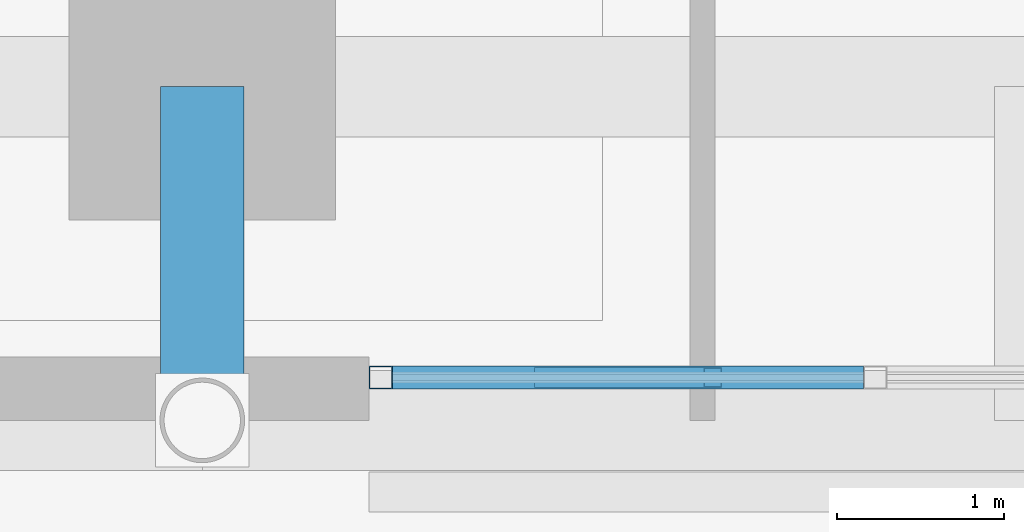
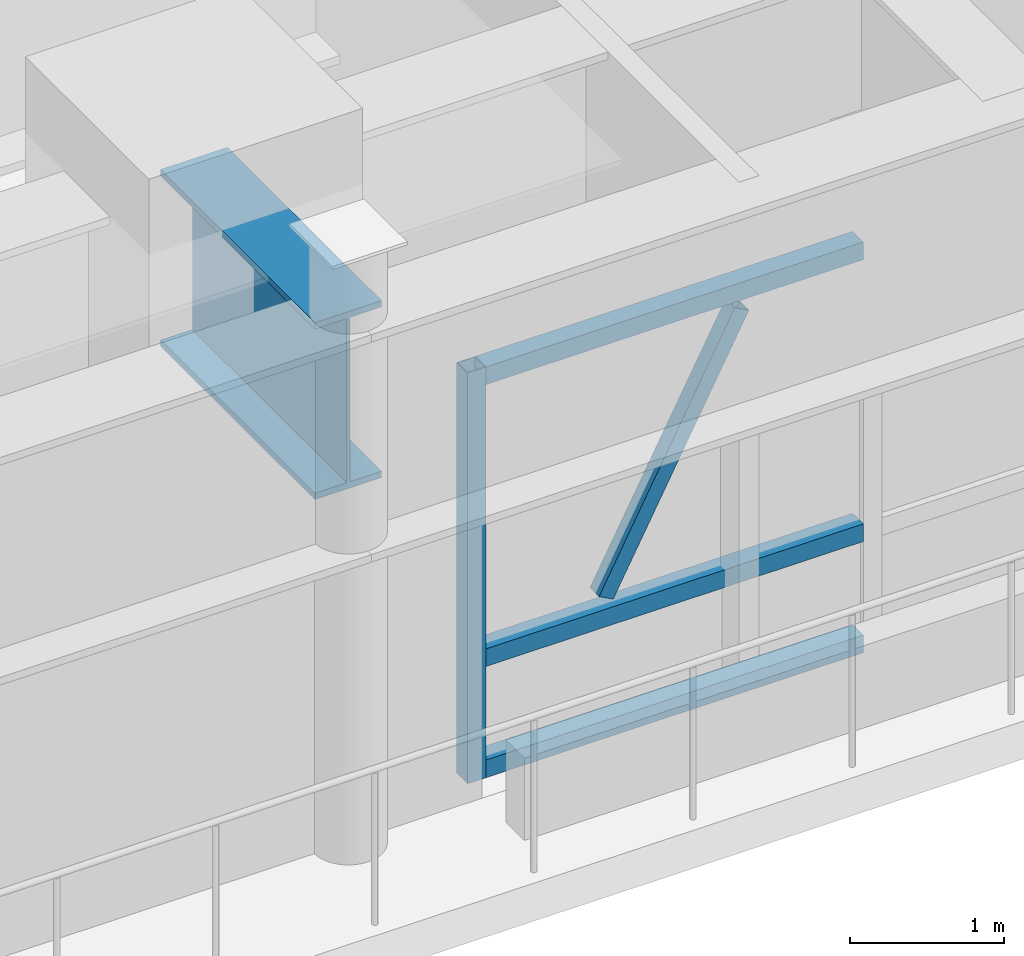
# One storey, part 7 of 35: 5 members, 1 beam, 1 element without a shape of its own.
"""IFC4 building model written with IfcOpenShell, lengths in metres."""

from ifc_helpers import new_model, si_unit, direction, frame, origin, origin_2d, place, context, subcontext, project, spatial, hollow_rectangle, i_section, extrude, source, transform, mapped, material, material_profile, profile_set, type_object, element, aggregate, save


model = new_model("IFC4")

# Units and contexts
model_context = context("Model", 3, precision=1e-05, world=origin(), true_north=direction((0.0, 1.0)))
body_context = subcontext(model_context, "Body", "Model", "MODEL_VIEW")
ifc_project = project(units=[si_unit("LENGTHUNIT", "METRE"), si_unit("AREAUNIT", "SQUARE_METRE"), si_unit("VOLUMEUNIT", "CUBIC_METRE"), si_unit("PLANEANGLEUNIT", "RADIAN"), si_unit("MASSUNIT", "GRAM", prefix="KILO")], contexts=[model_context])

# Site, building, storey
site_placement = place(None, origin())
site = spatial("IfcSite", under=ifc_project, at=site_placement, CompositionType="ELEMENT")
building_placement = place(site_placement, origin())
building = spatial("IfcBuilding", under=site, at=building_placement, Name="Khorayat Bourse Tower", CompositionType="ELEMENT")
storey_placement = place(building_placement, frame((0.0, 0.0, 22.199951171875)))
storey = spatial("IfcBuildingStorey", under=building, at=storey_placement, Name="L04", CompositionType="ELEMENT", Elevation=22.199951171875)

# Beam
ifc_material_1 = material(Name="Steel EN 10025-4 S460M", Category="steel")
ifc_material_profile_1 = material_profile(ifc_material_1, i_section(OverallWidth=0.5, OverallDepth=1.39990234375, WebThickness=0.02490234375, FlangeThickness=0.050048828125, at=origin_2d()), Name="PG 1400x500x25x50")
ifc_profile_set_1 = profile_set([ifc_material_profile_1], Name="Steel EN 10025-4 S460M")
beam_type = type_object("IfcBeamType", Name="BM-TR-1400", PredefinedType="BEAM", material=ifc_profile_set_1)
shared_shape_1 = source(origin(), body_context, "Body", "SweptSolid", [
    extrude(i_section(OverallWidth=0.5, OverallDepth=1.39990234375, WebThickness=0.02490234375, FlangeThickness=0.050048828125, at=origin_2d()), origin(), (0.0, 0.0, 1.0), 2.0),
])
beam_placement = place(storey_placement, frame((-11.0, -34.0, 3.5), z_axis=(0.0, 1.0, 0.0), x_axis=(-1.0, 0.0, 0.0)))
element("IfcBeam", 1, at=beam_placement, inside=storey, type_object=beam_type, Name="L04 BM-TR-1400 BM-L04-PGY-124", PredefinedType="BEAM", context=body_context, shape_type="MappedRepresentation", body=[
    mapped(shared_shape_1, transform((0.0, 0.0, 0.0), scale=1.0)),
])

# Curtain wall, members
ifc_material_2 = material(Name="Aluminium EN AW-6063 T6", Category="aluminium")
curtain_wall_type = type_object("IfcCurtainWallType", Name="CW-SYS-01", PredefinedType="NOTDEFINED", material=ifc_material_2)
curtain_wall_placement = place(storey_placement, origin())
curtain_wall = element("IfcCurtainWall", 2, at=curtain_wall_placement, inside=storey, type_object=curtain_wall_type, Name="L04 Curtain Wall CW-L04-SW", PredefinedType="NOTDEFINED")
ifc_material_profile_2 = material_profile(ifc_material_2, hollow_rectangle(XDim=0.139892578125, YDim=0.139892578125, WallThickness=0.006103515625, at=origin_2d()), Name="ALU 140x140x6")
ifc_profile_set_2 = profile_set([ifc_material_profile_2], Name="Aluminium EN AW-6063 T6")
member_type_1 = type_object("IfcMemberType", Name="CWT-HORZ-140", PredefinedType="USERDEFINED", material=ifc_profile_set_2)
shared_shape_2 = source(origin(), body_context, "Body", "SweptSolid", [
    extrude(hollow_rectangle(XDim=0.139892578125, YDim=0.139892578125, WallThickness=0.006103515625, at=origin_2d()), origin(), (0.0, 0.0, 1.0), 2.823486328125),
])
member_1_placement = place(storey_placement, frame((-9.860107421875, -33.742919921875, 0.070068359375), z_axis=(1.0, 0.0, 0.0), x_axis=(0.0, 1.0, 0.0)))
member_1 = element("IfcMember", 3, at=member_1_placement, type_object=member_type_1, Name="CW-L04-SW Horizontal Transom 1-1", ObjectType="TRANSOM", PredefinedType="USERDEFINED", context=body_context, shape_type="MappedRepresentation", body=[
    mapped(shared_shape_2, transform((0.0, 0.0, 0.0), scale=1.0)),
])
member_2_placement = place(storey_placement, frame((-9.860107421875, -33.742919921875, 0.949951171875), z_axis=(1.0, 0.0, 0.0), x_axis=(0.0, 1.0, 0.0)))
member_2 = element("IfcMember", 4, at=member_2_placement, type_object=member_type_1, Name="CW-L04-SW Horizontal Transom 1-2", ObjectType="TRANSOM", PredefinedType="USERDEFINED", context=body_context, shape_type="MappedRepresentation", body=[
    mapped(shared_shape_2, transform((0.0, 0.0, 0.0), scale=1.0)),
])
member_3_placement = place(storey_placement, frame((-9.860107421875, -33.742919921875, 3.179931640625), z_axis=(1.0, 0.0, 0.0), x_axis=(0.0, 1.0, 0.0)))
member_3 = element("IfcMember", 5, at=member_3_placement, type_object=member_type_1, Name="CW-L04-SW Horizontal Transom 1-3", ObjectType="TRANSOM", PredefinedType="USERDEFINED", context=body_context, shape_type="MappedRepresentation", body=[
    mapped(shared_shape_2, transform((0.0, 0.0, 0.0), scale=1.0)),
])
ifc_material_profile_3 = material_profile(ifc_material_2, hollow_rectangle(XDim=0.139892578125, YDim=0.139892578125, WallThickness=0.006103515625, at=origin_2d()), Name="ALU 140x140x6")
ifc_profile_set_3 = profile_set([ifc_material_profile_3], Name="Aluminium EN AW-6063 T6")
member_type_2 = type_object("IfcMemberType", Name="CWM-VERT-140", PredefinedType="MULLION", material=ifc_profile_set_3)
shared_shape_3 = source(origin(), body_context, "Body", "SweptSolid", [
    extrude(hollow_rectangle(XDim=0.139892578125, YDim=0.139892578125, WallThickness=0.006103515625, at=origin_2d()), origin(), (0.0, 0.0, 1.0), 3.25),
])
member_4_placement = place(storey_placement, frame((-9.929931640625, -33.742919921875, 0.0), z_axis=(0.0, 0.0, 1.0), x_axis=(0.0, 1.0, 0.0)))
member_4 = element("IfcMember", 6, at=member_4_placement, type_object=member_type_2, Name="CW-L04-SW Vertical Mullion 1", PredefinedType="MULLION", context=body_context, shape_type="MappedRepresentation", body=[
    mapped(shared_shape_3, transform((0.0, 0.0, 0.0), scale=1.0)),
])
ifc_material_profile_4 = material_profile(ifc_material_2, hollow_rectangle(XDim=0.1201171875, YDim=0.1201171875, WallThickness=0.0048828125, at=origin_2d()), Name="ALU 120x120x5")
ifc_profile_set_4 = profile_set([ifc_material_profile_4], Name="Aluminium EN AW-6063 T6")
member_type_3 = type_object("IfcMemberType", Name="CWM-DIAG-120", PredefinedType="MULLION", material=ifc_profile_set_4)
shared_shape_4 = source(origin(), body_context, "Body", "SweptSolid", [
    extrude(hollow_rectangle(XDim=0.1201171875, YDim=0.1201171875, WallThickness=0.0048828125, at=origin_2d()), origin(), (0.0, 0.0, 1.0), 2.180908203125),
])
member_5_placement = place(storey_placement, frame((-8.956298828125, -33.742919921875, 1.10009765625), z_axis=(0.465787955033, 0.0, 0.884896367348), x_axis=(0.0, 1.0, 0.0)))
member_5 = element("IfcMember", 7, at=member_5_placement, type_object=member_type_3, Name="CW-L04-SW Faceted Diagonal Mullion 1", PredefinedType="MULLION", context=body_context, shape_type="MappedRepresentation", body=[
    mapped(shared_shape_4, transform((0.0, 0.0, 0.0), scale=1.0)),
])
aggregate(curtain_wall, [member_4, member_1, member_2, member_3, member_5])

save(model, "model.ifc")
